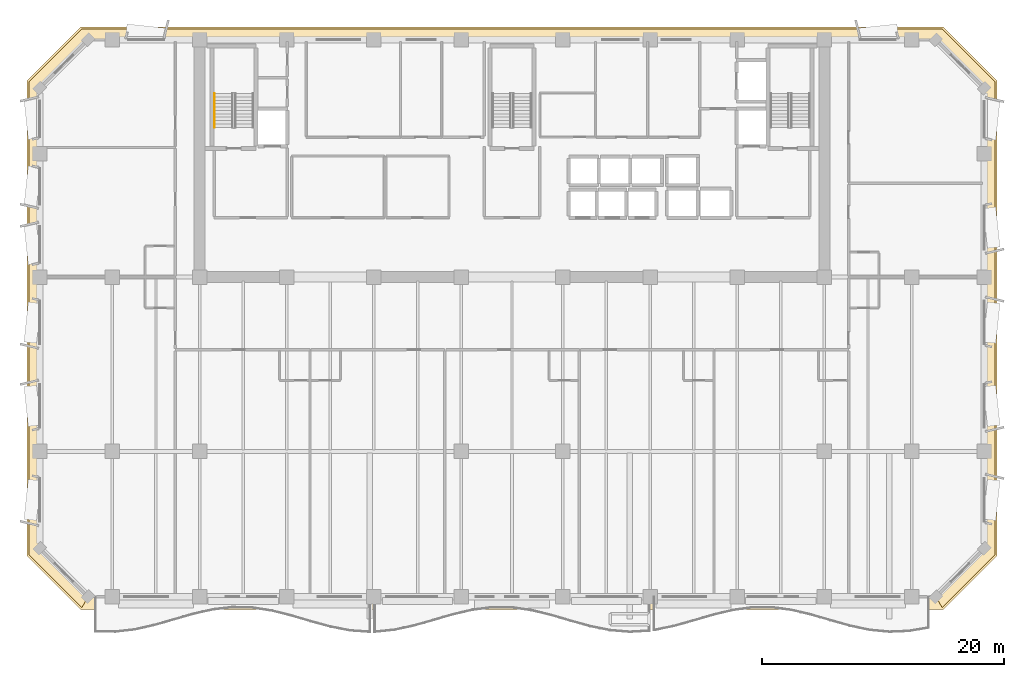
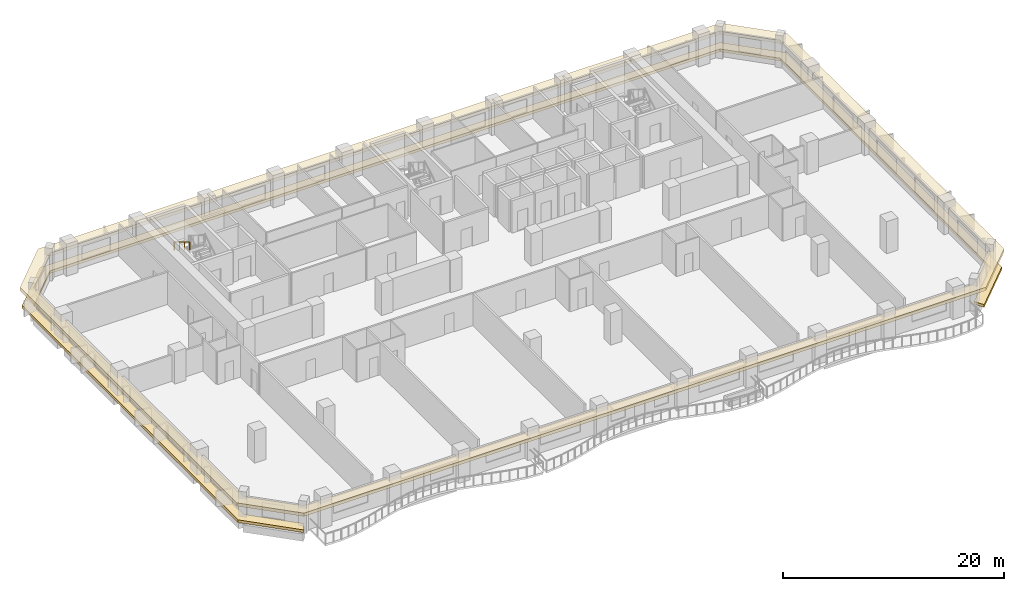
# One storey, part 11 of 14: 2 coverings, 1 railing.
"""IFC4 building model written with IfcOpenShell, lengths in metres."""

from ifc_helpers import new_model, si_unit, direction, frame, origin, origin_2d, place, context, subcontext, project, spatial, polyline, rectangle, outline, extrude, material, layer, layer_set, type_object, element, save


model = new_model("IFC4")

# Units and contexts
model_context = context("Model", 3, precision=1e-05, world=origin(), true_north=direction((0.0, 1.0)))
body_context = subcontext(model_context, "Body", "Model", "MODEL_VIEW")
ifc_project = project(units=[si_unit("LENGTHUNIT", "METRE"), si_unit("AREAUNIT", "SQUARE_METRE"), si_unit("VOLUMEUNIT", "CUBIC_METRE"), si_unit("PLANEANGLEUNIT", "RADIAN"), si_unit("MASSUNIT", "GRAM", prefix="KILO")], contexts=[model_context])

# Site, building, storey
site_placement = place(None, origin())
site = spatial("IfcSite", under=ifc_project, at=site_placement, CompositionType="ELEMENT")
building_placement = place(site_placement, origin())
building = spatial("IfcBuilding", under=site, at=building_placement, Name="Kaelvorn Grand Hotel", CompositionType="ELEMENT")
storey_placement = place(building_placement, frame((0.0, 0.0, 205.35009765625)))
storey = spatial("IfcBuildingStorey", under=building, at=storey_placement, Name="L50", CompositionType="ELEMENT", Elevation=205.35009765625)

# Coverings
ifc_material_1 = material(Name="Precast concrete C45/55", Category="concrete")
ifc_layer_1 = layer(ifc_material_1, 0.260009765625)
ifc_layer_set_1 = layer_set([ifc_layer_1], Name="Precast concrete C45/55")
covering_type_1 = type_object("IfcCoveringType", Name="COV-BAND-STREAMLINE-HEAD", PredefinedType="CLADDING", material=ifc_layer_set_1)
covering_1_placement = place(storey_placement, frame((0.0, 0.0, 2.3798828125)))
element("IfcCovering", 1, at=covering_1_placement, inside=storey, type_object=covering_type_1, Name="L50 Streamline Moderne Wraparound Horizontal Eyebrow Band", PredefinedType="CLADDING", context=body_context, shape_type="SweptSolid", body=[
    extrude(outline(polyline([(6.389892578125, 1.949951171875), (77.610107421875, 1.949951171875), (82.050048828125, 6.389892578125), (82.050048828125, 45.610107421875), (77.610107421875, 50.050048828125), (6.389892578125, 50.050048828125), (1.949951171875, 45.610107421875), (1.949951171875, 6.389892578125), (6.389892578125, 1.949951171875)]), holes=[polyline([(7.02001953125, 3.030029296875), (76.97998046875, 3.030029296875), (80.969970703125, 7.02001953125), (80.969970703125, 44.97998046875), (76.97998046875, 48.969970703125), (7.02001953125, 48.969970703125), (3.030029296875, 44.97998046875), (3.030029296875, 7.02001953125), (7.02001953125, 3.030029296875)])]), origin(), (0.0, 0.0, 1.0), 0.360107421875),
])
ifc_layer_2 = layer(ifc_material_1, 0.219970703125)
ifc_layer_set_2 = layer_set([ifc_layer_2], Name="Precast concrete C45/55")
covering_type_2 = type_object("IfcCoveringType", Name="COV-BAND-STREAMLINE-SILL", PredefinedType="CLADDING", material=ifc_layer_set_2)
covering_2_placement = place(storey_placement, frame((0.0, 0.0, 0.449951171875)))
element("IfcCovering", 2, at=covering_2_placement, inside=storey, type_object=covering_type_2, Name="L50 Streamline Moderne Wraparound Horizontal Sill Spandrel Band", PredefinedType="CLADDING", context=body_context, shape_type="SweptSolid", body=[
    extrude(outline(polyline([(77.515380859375, 2.1201171875), (81.8798828125, 6.484619140625), (81.8798828125, 45.515380859375), (77.515380859375, 49.8798828125), (6.484619140625, 49.8798828125), (2.1201171875, 45.515380859375), (2.1201171875, 6.484619140625), (6.484619140625, 2.1201171875), (7.017578125, 3.030029296875), (3.030029296875, 7.017578125), (3.030029296875, 44.982421875), (7.017578125, 48.969970703125), (76.982421875, 48.969970703125), (80.969970703125, 44.982421875), (80.969970703125, 7.017578125), (76.982421875, 3.030029296875), (77.515380859375, 2.1201171875)])), origin(), (0.0, 0.0, 1.0), 0.300048828125),
])

# Railing
ifc_material_2 = material(Name="Stainless Steel", Category="steel")
railing_type = type_object("IfcRailingType", Name="RL-HANDRAIL-900", PredefinedType="HANDRAIL", material=ifc_material_2)
railing_placement = place(storey_placement, frame((17.449951171875, 44.56005859375, 2.072509765625)))
element("IfcRailing", 3, at=railing_placement, inside=storey, type_object=railing_type, Name="L50 ST1 stair handrail 2", PredefinedType="HANDRAIL", context=body_context, shape_type="SweptSolid", body=[
    extrude(rectangle(XDim=0.048095703125, YDim=0.048095703125, at=origin_2d()), frame((0.0, 0.0, 0.8759765625), z_axis=(0.0, -0.851089632645, 0.525020415988), x_axis=(1.0, 0.0, 0.0)), (0.0, 0.0, 1.0), 3.2900390625),
    extrude(rectangle(XDim=0.0419921875, YDim=0.0419921875, at=origin_2d()), origin(), (0.0, 0.0, 1.0), 0.851806640625),
    extrude(rectangle(XDim=0.0419921875, YDim=0.0419921875, at=origin_2d()), frame((0.0, -0.933349609375, 0.57568359375)), (0.0, 0.0, 1.0), 0.851806640625),
    extrude(rectangle(XDim=0.0419921875, YDim=0.0419921875, at=origin_2d()), frame((0.0, -1.86669921875, 1.151611328125)), (0.0, 0.0, 1.0), 0.851806640625),
    extrude(rectangle(XDim=0.0419921875, YDim=0.0419921875, at=origin_2d()), frame((0.0, -2.800048828125, 1.727294921875)), (0.0, 0.0, 1.0), 0.851806640625),
])

save(model, "model.ifc")
